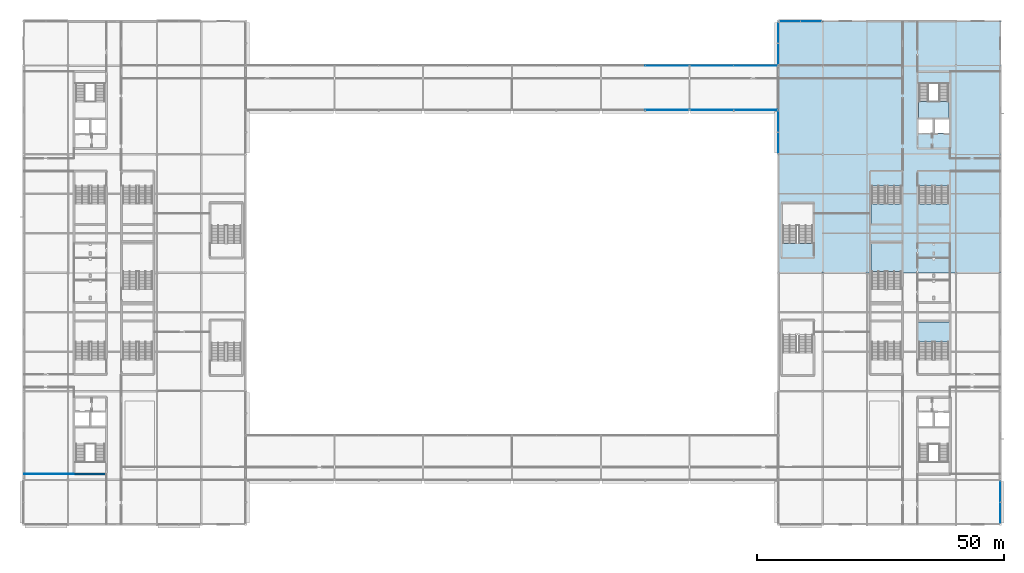
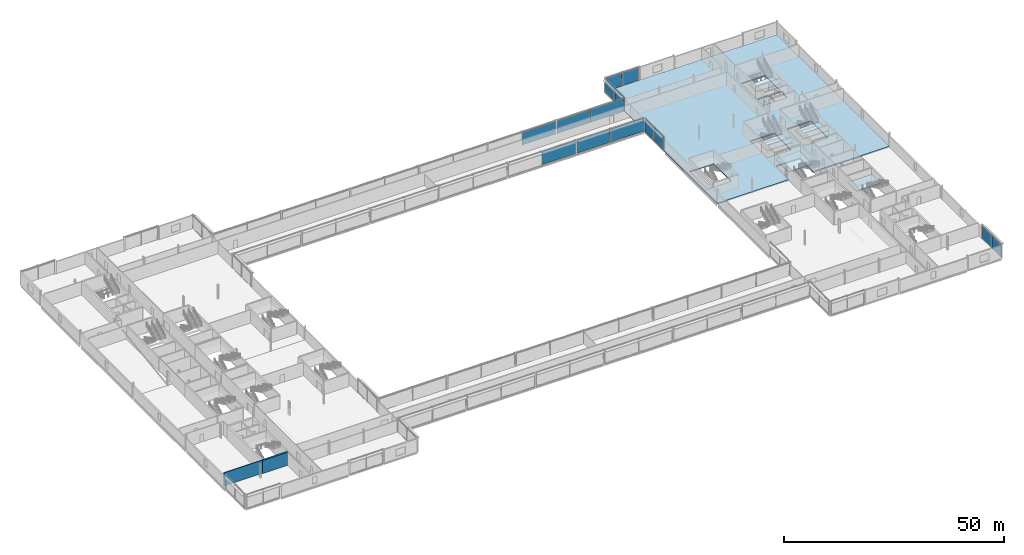
# One storey, part 52 of 96: 14 plates, 6 slabs, 2 walls, 13 elements without a shape of their own.
"""IFC4 building model written with IfcOpenShell, lengths in metres."""

from ifc_helpers import new_model, si_unit, direction, frame, frame_2d, origin, origin_2d, place, context, subcontext, project, spatial, polyline, rectangle, outline, extrude, material, layer, layer_set, type_object, element, aggregate, save


model = new_model("IFC4")

# Units and contexts
model_context = context("Model", 3, precision=1e-05, world=origin(), true_north=direction((0.0, 1.0)))
body_context = subcontext(model_context, "Body", "Model", "MODEL_VIEW")
ifc_project = project(units=[si_unit("LENGTHUNIT", "METRE"), si_unit("AREAUNIT", "SQUARE_METRE"), si_unit("VOLUMEUNIT", "CUBIC_METRE"), si_unit("PLANEANGLEUNIT", "RADIAN"), si_unit("MASSUNIT", "GRAM", prefix="KILO")], contexts=[model_context])

# Site, building, storey
site_placement = place(None, origin())
site = spatial("IfcSite", under=ifc_project, at=site_placement, CompositionType="ELEMENT")
building_placement = place(site_placement, origin())
building = spatial("IfcBuilding", under=site, at=building_placement, Name="Kisiwana Market Hall", CompositionType="ELEMENT")
storey_placement = place(building_placement, frame((0.0, 0.0, 25.5)))
storey = spatial("IfcBuildingStorey", under=building, at=storey_placement, Name="L05", CompositionType="ELEMENT", Elevation=25.5)

# Curtain wall, plates
ifc_material_1 = material(Name="Double-glazed solar-control low-E IGU", Category="glass")
ifc_layer_1 = layer(ifc_material_1, 0.159912109375)
ifc_layer_set_1 = layer_set([ifc_layer_1], Name="CW-ZNA-EW-8200")
curtain_wall_type = type_object("IfcCurtainWallType", Name="CW-ZNA-EW-8200", PredefinedType="USERDEFINED", material=ifc_layer_set_1)
curtain_wall_1_placement = place(storey_placement, origin())
curtain_wall_1 = element("IfcCurtainWall", 1, at=curtain_wall_1_placement, inside=storey, type_object=curtain_wall_type, Name="Unitised curtain wall CW-149 (L05)", ObjectType="UNITISED CURTAIN WALL", PredefinedType="USERDEFINED")
ifc_material_2 = material(Name="Double-glazed solar-control low-E IGU", Category="glass")
ifc_layer_2 = layer(ifc_material_2, 0.02392578125)
ifc_layer_set_2 = layer_set([ifc_layer_2], Name="PL-IGU-24")
plate_type_1 = type_object("IfcPlateType", Name="PL-IGU-24", PredefinedType="CURTAIN_PANEL", material=ifc_layer_set_2)
plate_1_placement = place(storey_placement, frame((139.557861328125, 93.0, 0.06005859375), z_axis=(0.0, 0.0, 1.0), x_axis=(1.0, 0.0, 0.0)))
plate_1 = element("IfcPlate", 2, at=plate_1_placement, type_object=plate_type_1, Name="CW-149 panel 1.1", PredefinedType="CURTAIN_PANEL", context=body_context, shape_type="SweptSolid", body=[
    extrude(rectangle(XDim=8.745849609375, YDim=0.02392578125, at=origin_2d()), origin(), (0.0, 0.0, 1.0), 3.534912109375),
])
plate_2_placement = place(storey_placement, frame((148.36376953125, 93.0, 0.06005859375), z_axis=(0.0, 0.0, 1.0), x_axis=(1.0, 0.0, 0.0)))
plate_2 = element("IfcPlate", 3, at=plate_2_placement, type_object=plate_type_1, Name="CW-149 panel 2.1", PredefinedType="CURTAIN_PANEL", context=body_context, shape_type="SweptSolid", body=[
    extrude(rectangle(XDim=8.745849609375, YDim=0.02392578125, at=origin_2d()), origin(), (0.0, 0.0, 1.0), 3.534912109375),
])
aggregate(curtain_wall_1, [plate_1, plate_2])

curtain_wall_2_placement = place(storey_placement, origin())
curtain_wall_2 = element("IfcCurtainWall", 4, at=curtain_wall_2_placement, inside=storey, type_object=curtain_wall_type, Name="Unitised curtain wall CW-155 (L05)", ObjectType="UNITISED CURTAIN WALL", PredefinedType="USERDEFINED")
plate_3_placement = place(storey_placement, frame((139.557861328125, 102.0, 0.06005859375), z_axis=(0.0, 0.0, 1.0), x_axis=(1.0, 0.0, 0.0)))
plate_3 = element("IfcPlate", 5, at=plate_3_placement, type_object=plate_type_1, Name="CW-155 panel 1.1", PredefinedType="CURTAIN_PANEL", context=body_context, shape_type="SweptSolid", body=[
    extrude(rectangle(XDim=8.745849609375, YDim=0.02392578125, at=origin_2d()), origin(), (0.0, 0.0, 1.0), 3.534912109375),
])
plate_4_placement = place(storey_placement, frame((148.36376953125, 102.0, 0.06005859375), z_axis=(0.0, 0.0, 1.0), x_axis=(1.0, 0.0, 0.0)))
plate_4 = element("IfcPlate", 6, at=plate_4_placement, type_object=plate_type_1, Name="CW-155 panel 2.1", PredefinedType="CURTAIN_PANEL", context=body_context, shape_type="SweptSolid", body=[
    extrude(rectangle(XDim=8.745849609375, YDim=0.02392578125, at=origin_2d()), origin(), (0.0, 0.0, 1.0), 3.534912109375),
])
aggregate(curtain_wall_2, [plate_3, plate_4])

curtain_wall_3_placement = place(storey_placement, origin())
curtain_wall_3 = element("IfcCurtainWall", 7, at=curtain_wall_3_placement, inside=storey, type_object=curtain_wall_type, Name="Unitised curtain wall CW-167 (L05)", ObjectType="UNITISED CURTAIN WALL", PredefinedType="USERDEFINED")
plate_5_placement = place(storey_placement, frame((153.0, 104.36669921875, 0.06005859375), z_axis=(0.0, 0.0, 1.0), x_axis=(0.0, 1.0, 0.0)))
plate_5 = element("IfcPlate", 8, at=plate_5_placement, type_object=plate_type_1, Name="CW-167 panel 1.1", PredefinedType="CURTAIN_PANEL", context=body_context, shape_type="SweptSolid", body=[
    extrude(rectangle(XDim=4.206787109375, YDim=0.02392578125, at=origin_2d()), origin(), (0.0, 0.0, 1.0), 3.534912109375),
])
plate_6_placement = place(storey_placement, frame((153.0, 108.63330078125, 0.06005859375), z_axis=(0.0, 0.0, 1.0), x_axis=(0.0, 1.0, 0.0)))
plate_6 = element("IfcPlate", 9, at=plate_6_placement, type_object=plate_type_1, Name="CW-167 panel 2.1", PredefinedType="CURTAIN_PANEL", context=body_context, shape_type="SweptSolid", body=[
    extrude(rectangle(XDim=4.206787109375, YDim=0.02392578125, at=origin_2d()), origin(), (0.0, 0.0, 1.0), 3.534912109375),
])
aggregate(curtain_wall_3, [plate_5, plate_6])

# Curtain wall, plate
curtain_wall_4_placement = place(storey_placement, origin())
curtain_wall_4 = element("IfcCurtainWall", 10, at=curtain_wall_4_placement, inside=storey, type_object=curtain_wall_type, Name="Unitised curtain wall CW-148 (L05)", ObjectType="UNITISED CURTAIN WALL", PredefinedType="USERDEFINED")
ifc_material_3 = material(Name="Double-glazed acoustic laminated IGU", Category="glass")
ifc_layer_3 = layer(ifc_material_3, 0.028076171875)
ifc_layer_set_3 = layer_set([ifc_layer_3], Name="PL-IGU-28")
plate_type_2 = type_object("IfcPlateType", Name="PL-IGU-28", PredefinedType="CURTAIN_PANEL", material=ifc_layer_set_3)
plate_7_placement = place(storey_placement, frame((130.422607421875, 93.0, 0.06005859375), z_axis=(0.0, 0.0, 1.0), x_axis=(1.0, 0.0, 0.0)))
plate_7 = element("IfcPlate", 11, at=plate_7_placement, type_object=plate_type_2, Name="CW-148 panel 2.1", PredefinedType="CURTAIN_PANEL", context=body_context, shape_type="SweptSolid", body=[
    extrude(rectangle(XDim=8.784912109375, YDim=0.028076171875, at=origin_2d()), origin(), (0.0, 0.0, 1.0), 3.534912109375),
])
aggregate(curtain_wall_4, [plate_7])

curtain_wall_5_placement = place(storey_placement, origin())
curtain_wall_5 = element("IfcCurtainWall", 12, at=curtain_wall_5_placement, inside=storey, type_object=curtain_wall_type, Name="Unitised curtain wall CW-154 (L05)", ObjectType="UNITISED CURTAIN WALL", PredefinedType="USERDEFINED")
plate_8_placement = place(storey_placement, frame((130.422607421875, 102.0, 0.06005859375), z_axis=(0.0, 0.0, 1.0), x_axis=(1.0, 0.0, 0.0)))
plate_8 = element("IfcPlate", 13, at=plate_8_placement, type_object=plate_type_2, Name="CW-154 panel 2.1", PredefinedType="CURTAIN_PANEL", context=body_context, shape_type="SweptSolid", body=[
    extrude(rectangle(XDim=8.784912109375, YDim=0.028076171875, at=origin_2d()), origin(), (0.0, 0.0, 1.0), 3.534912109375),
])
aggregate(curtain_wall_5, [plate_8])

# Curtain wall, plates
curtain_wall_6_placement = place(storey_placement, origin())
curtain_wall_6 = element("IfcCurtainWall", 14, at=curtain_wall_6_placement, inside=storey, type_object=curtain_wall_type, Name="Unitised curtain wall CW-158 (L05)", ObjectType="UNITISED CURTAIN WALL", PredefinedType="USERDEFINED")
plate_9_placement = place(storey_placement, frame((155.36669921875, 111.0, 0.06005859375), z_axis=(0.0, 0.0, 1.0), x_axis=(1.0, 0.0, 0.0)))
plate_9 = element("IfcPlate", 15, at=plate_9_placement, type_object=plate_type_2, Name="CW-158 panel 1.1", PredefinedType="CURTAIN_PANEL", context=body_context, shape_type="SweptSolid", body=[
    extrude(rectangle(XDim=4.206787109375, YDim=0.028076171875, at=origin_2d()), origin(), (0.0, 0.0, 1.0), 3.534912109375),
])
plate_10_placement = place(storey_placement, frame((159.63330078125, 111.0, 0.06005859375), z_axis=(0.0, 0.0, 1.0), x_axis=(1.0, 0.0, 0.0)))
plate_10 = element("IfcPlate", 16, at=plate_10_placement, type_object=plate_type_2, Name="CW-158 panel 2.1", PredefinedType="CURTAIN_PANEL", context=body_context, shape_type="SweptSolid", body=[
    extrude(rectangle(XDim=4.206787109375, YDim=0.028076171875, at=origin_2d()), origin(), (0.0, 0.0, 1.0), 3.534912109375),
])
aggregate(curtain_wall_6, [plate_9, plate_10])

curtain_wall_7_placement = place(storey_placement, origin())
curtain_wall_7 = element("IfcCurtainWall", 17, at=curtain_wall_7_placement, inside=storey, type_object=curtain_wall_type, Name="Unitised curtain wall CW-166 (L05)", ObjectType="UNITISED CURTAIN WALL", PredefinedType="USERDEFINED")
plate_11_placement = place(storey_placement, frame((153.0, 86.36669921875, 0.06005859375), z_axis=(0.0, 0.0, 1.0), x_axis=(0.0, 1.0, 0.0)))
plate_11 = element("IfcPlate", 18, at=plate_11_placement, type_object=plate_type_2, Name="CW-166 panel 1.1", PredefinedType="CURTAIN_PANEL", context=body_context, shape_type="SweptSolid", body=[
    extrude(rectangle(XDim=4.206787109375, YDim=0.028076171875, at=origin_2d()), origin(), (0.0, 0.0, 1.0), 3.534912109375),
])
plate_12_placement = place(storey_placement, frame((153.0, 90.63330078125, 0.06005859375), z_axis=(0.0, 0.0, 1.0), x_axis=(0.0, 1.0, 0.0)))
plate_12 = element("IfcPlate", 19, at=plate_12_placement, type_object=plate_type_2, Name="CW-166 panel 2.1", PredefinedType="CURTAIN_PANEL", context=body_context, shape_type="SweptSolid", body=[
    extrude(rectangle(XDim=4.206787109375, YDim=0.028076171875, at=origin_2d()), origin(), (0.0, 0.0, 1.0), 3.534912109375),
])
aggregate(curtain_wall_7, [plate_11, plate_12])

curtain_wall_8_placement = place(storey_placement, origin())
curtain_wall_8 = element("IfcCurtainWall", 20, at=curtain_wall_8_placement, inside=storey, type_object=curtain_wall_type, Name="Unitised curtain wall CW-168 (L05)", ObjectType="UNITISED CURTAIN WALL", PredefinedType="USERDEFINED")
plate_13_placement = place(storey_placement, frame((198.0, 11.36669921875, 0.06005859375), z_axis=(0.0, 0.0, 1.0), x_axis=(0.0, 1.0, 0.0)))
plate_13 = element("IfcPlate", 21, at=plate_13_placement, type_object=plate_type_2, Name="CW-168 panel 1.1", PredefinedType="CURTAIN_PANEL", context=body_context, shape_type="SweptSolid", body=[
    extrude(rectangle(XDim=4.206787109375, YDim=0.028076171875, at=origin_2d()), origin(), (0.0, 0.0, 1.0), 3.534912109375),
])
plate_14_placement = place(storey_placement, frame((198.0, 15.63330078125, 0.06005859375), z_axis=(0.0, 0.0, 1.0), x_axis=(0.0, 1.0, 0.0)))
plate_14 = element("IfcPlate", 22, at=plate_14_placement, type_object=plate_type_2, Name="CW-168 panel 2.1", PredefinedType="CURTAIN_PANEL", context=body_context, shape_type="SweptSolid", body=[
    extrude(rectangle(XDim=4.206787109375, YDim=0.028076171875, at=origin_2d()), origin(), (0.0, 0.0, 1.0), 3.534912109375),
])
aggregate(curtain_wall_8, [plate_13, plate_14])

# Stair, slab
ifc_material_4 = material(Name="Concrete C32/40", Category="concrete")
stair_type_1 = type_object("IfcStairType", Name="ST-TWR-3900", PredefinedType="TWO_STRAIGHT_RUN_STAIR", material=ifc_material_4)
stair_1_placement = place(storey_placement, origin())
stair_1 = element("IfcStair", 23, at=stair_1_placement, inside=storey, type_object=stair_type_1, Name="Escape stair ST-E1-L05", PredefinedType="TWO_STRAIGHT_RUN_STAIR")
ifc_material_5 = material(Name="Concrete C32/40", Category="concrete")
ifc_layer_4 = layer(ifc_material_5, 0.239990234375)
ifc_layer_set_4 = layer_set([ifc_layer_4], Name="SL-LANDING-160")
slab_type_1 = type_object("IfcSlabType", Name="SL-LANDING-160", PredefinedType="LANDING", material=ifc_layer_set_4)
slab_1_placement = place(storey_placement, frame((0.0, 0.0, 1.7099609375)))
slab_1 = element("IfcSlab", 24, at=slab_1_placement, type_object=slab_type_1, Name="ST-E1-L05 landing 1 S-258", PredefinedType="LANDING", context=body_context, shape_type="SweptSolid", body=[
    extrude(outline(polyline([(181.3798828125, 91.3798828125), (187.6201171875, 91.3798828125), (187.6201171875, 94.69091796875), (181.3798828125, 94.69091796875), (181.3798828125, 91.3798828125)])), origin(), (0.0, 0.0, 1.0), 0.239990234375),
])
aggregate(stair_1, [slab_1])

ifc_material_6 = material(Name="Concrete C32/40", Category="concrete")
stair_type_2 = type_object("IfcStairType", Name="ST-ESC-3900", PredefinedType="TWO_STRAIGHT_RUN_STAIR", material=ifc_material_6)
stair_2_placement = place(storey_placement, origin())
stair_2 = element("IfcStair", 25, at=stair_2_placement, inside=storey, type_object=stair_type_2, Name="Escape stair ST-E3-L05", PredefinedType="TWO_STRAIGHT_RUN_STAIR")
slab_2_placement = place(storey_placement, frame((0.0, 0.0, 1.7099609375)))
slab_2 = element("IfcSlab", 26, at=slab_2_placement, type_object=slab_type_1, Name="ST-E3-L05 landing 1 S-261", PredefinedType="LANDING", context=body_context, shape_type="SweptSolid", body=[
    extrude(outline(polyline([(181.340087890625, 46.01953125), (187.659912109375, 46.01953125), (187.659912109375, 50.06005859375), (181.340087890625, 50.06005859375), (181.340087890625, 46.01953125)])), origin(), (0.0, 0.0, 1.0), 0.239990234375),
])
aggregate(stair_2, [slab_2])

stair_3_placement = place(storey_placement, origin())
stair_3 = element("IfcStair", 27, at=stair_3_placement, inside=storey, type_object=stair_type_2, Name="Escape stair ST-E4-L05", PredefinedType="TWO_STRAIGHT_RUN_STAIR")
slab_3_placement = place(storey_placement, frame((0.0, 0.0, 1.7099609375)))
slab_3 = element("IfcSlab", 28, at=slab_3_placement, type_object=slab_type_1, Name="ST-E4-L05 landing 1 S-262", PredefinedType="LANDING", context=body_context, shape_type="SweptSolid", body=[
    extrude(outline(polyline([(181.340087890625, 69.93994140625), (187.659912109375, 69.93994140625), (187.659912109375, 73.98046875), (181.340087890625, 73.98046875), (181.340087890625, 69.93994140625)])), origin(), (0.0, 0.0, 1.0), 0.239990234375),
])
aggregate(stair_3, [slab_3])

stair_4_placement = place(storey_placement, origin())
stair_4 = element("IfcStair", 29, at=stair_4_placement, inside=storey, type_object=stair_type_2, Name="Escape stair ST-E8-L05", PredefinedType="TWO_STRAIGHT_RUN_STAIR")
slab_4_placement = place(storey_placement, frame((0.0, 0.0, 1.7099609375)))
slab_4 = element("IfcSlab", 30, at=slab_4_placement, type_object=slab_type_1, Name="ST-E8-L05 landing 1 S-265", PredefinedType="LANDING", context=body_context, shape_type="SweptSolid", body=[
    extrude(outline(polyline([(171.739990234375, 69.93994140625), (178.06005859375, 69.93994140625), (178.06005859375, 73.98046875), (171.739990234375, 73.98046875), (171.739990234375, 69.93994140625)])), origin(), (0.0, 0.0, 1.0), 0.239990234375),
])
aggregate(stair_4, [slab_4])

stair_5_placement = place(storey_placement, origin())
stair_5 = element("IfcStair", 31, at=stair_5_placement, inside=storey, type_object=stair_type_2, Name="Escape stair ST-E5-L05", PredefinedType="TWO_STRAIGHT_RUN_STAIR")
slab_5_placement = place(storey_placement, frame((0.0, 0.0, 1.7099609375)))
slab_5 = element("IfcSlab", 32, at=slab_5_placement, type_object=slab_type_1, Name="ST-E5-L05 landing 1 S-263", PredefinedType="LANDING", context=body_context, shape_type="SweptSolid", body=[
    extrude(outline(polyline([(171.739990234375, 60.299560546875), (178.06005859375, 60.299560546875), (178.06005859375, 66.179931640625), (171.739990234375, 66.179931640625), (171.739990234375, 60.299560546875)])), origin(), (0.0, 0.0, 1.0), 0.239990234375),
])
aggregate(stair_5, [slab_5])

# Slab
ifc_material_7 = material(Name="Concrete C32/40", Category="concrete")
ifc_layer_5 = layer(ifc_material_7, 0.31494140625)
ifc_layer_set_5 = layer_set([ifc_layer_5], Name="SL-OFF-255")
slab_type_2 = type_object("IfcSlabType", Name="SL-OFF-255", PredefinedType="FLOOR", material=ifc_layer_set_5)
slab_6_placement = place(storey_placement, frame((0.0, 0.0, -0.31494140625)))
element("IfcSlab", 33, at=slab_6_placement, inside=storey, type_object=slab_type_2, Name="Structural slab S-253", PredefinedType="FLOOR", context=body_context, shape_type="SweptSolid", body=[
    extrude(outline(polyline([(153.0, 60.0), (171.760009765625, 60.0), (171.760009765625, 66.159912109375), (178.0400390625, 66.159912109375), (178.0400390625, 60.0), (198.0, 60.0), (198.0, 111.0), (153.0, 111.0), (153.0, 60.0)]), holes=[polyline([(181.39990234375, 91.39990234375), (187.60009765625, 91.39990234375), (187.60009765625, 98.35009765625), (181.39990234375, 98.35009765625), (181.39990234375, 91.39990234375)]), polyline([(181.39990234375, 88.35009765625), (184.340087890625, 88.35009765625), (184.340087890625, 91.080078125), (181.39990234375, 91.080078125), (181.39990234375, 88.35009765625)]), polyline([(184.659912109375, 88.35009765625), (187.60009765625, 88.35009765625), (187.60009765625, 91.080078125), (184.659912109375, 91.080078125), (184.659912109375, 88.35009765625)]), polyline([(181.360107421875, 69.9599609375), (187.639892578125, 69.9599609375), (187.639892578125, 77.6201171875), (181.360107421875, 77.6201171875), (181.360107421875, 69.9599609375)]), polyline([(171.760009765625, 69.9599609375), (178.0400390625, 69.9599609375), (178.0400390625, 77.6201171875), (171.760009765625, 77.6201171875), (171.760009765625, 69.9599609375)]), polyline([(153.7900390625, 65.97998046875), (160.070068359375, 65.97998046875), (160.070068359375, 74.0400390625), (153.7900390625, 74.0400390625), (153.7900390625, 65.97998046875)])]), origin(), (0.0, 0.0, 1.0), 0.31494140625),
])

# Walls
ifc_material_8 = material(Name="Concrete C40/50", Category="concrete")
ifc_layer_6 = layer(ifc_material_8, 0.449951171875, Name="Reinforced concrete core wall")
ifc_layer_set_6 = layer_set([ifc_layer_6], Name="WL-CORE-450")
wall_type_1 = type_object("IfcWallType", Name="WL-CORE-450", PredefinedType="SHEAR", material=ifc_layer_set_6)
wall_1_placement = place(storey_placement, frame((10.199951171875, 19.199951171875, 0.0), z_axis=(0.0, 0.0, 1.0), x_axis=(1.0, 0.0, 0.0)))
element("IfcWall", 34, at=wall_1_placement, inside=storey, type_object=wall_type_1, Name="Core W2 south shear wall W-1702", PredefinedType="SHEAR", context=body_context, shape_type="SweptSolid", body=[
    extrude(rectangle(XDim=6.60009765625, YDim=0.449951171875, at=frame_2d((3.300048828125, 0.0))), origin(), (0.0, 0.0, 1.0), 3.655029296875),
])
ifc_material_9 = material(Name="Masonry blockwork", Category="masonry")
ifc_layer_7 = layer(ifc_material_9, 0.169921875, Name="Protected corridor partition")
ifc_layer_set_7 = layer_set([ifc_layer_7], Name="WL-CORR-170")
wall_type_2 = type_object("IfcWallType", Name="WL-CORR-170", PredefinedType="PARTITIONING", material=ifc_layer_set_7)
wall_2_placement = place(storey_placement, frame((0.157470703125, 19.199951171875, 0.0), z_axis=(0.0, 0.0, 1.0), x_axis=(1.0, 0.0, 0.0)))
element("IfcWall", 35, at=wall_2_placement, inside=storey, type_object=wall_type_2, Name="Interior partition W-1836", PredefinedType="PARTITIONING", context=body_context, shape_type="SweptSolid", body=[
    extrude(rectangle(XDim=10.04248046875, YDim=0.169921875, at=frame_2d((5.021240234375, 0.0))), origin(), (0.0, 0.0, 1.0), 3.655029296875),
])

save(model, "model.ifc")
